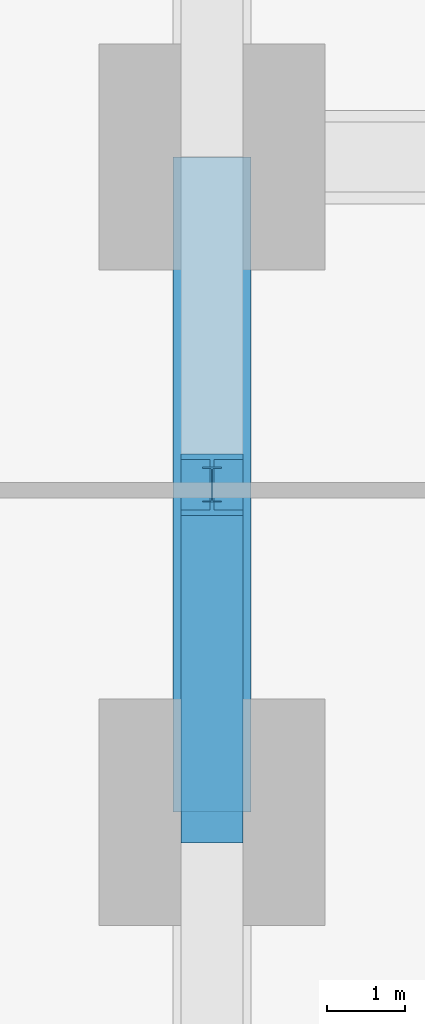
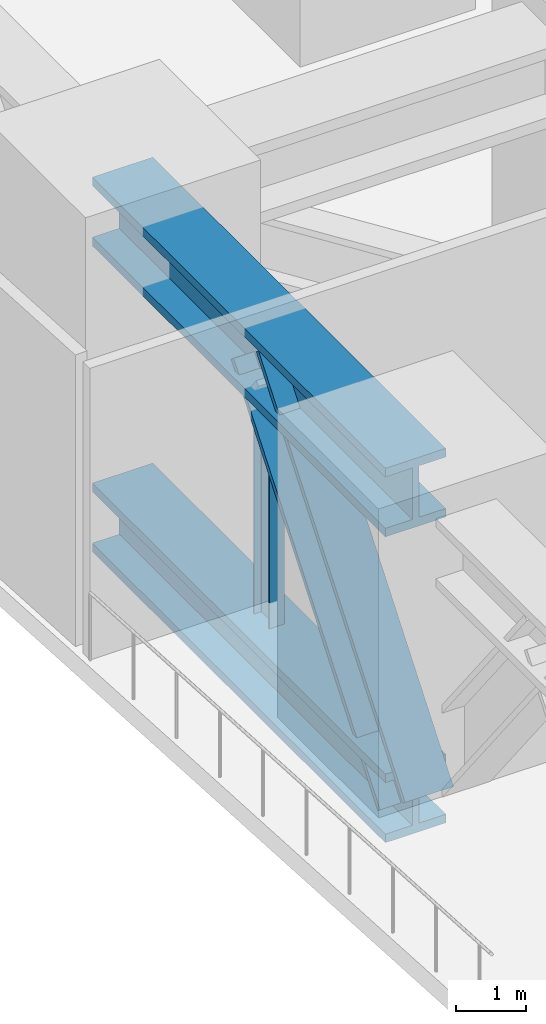
# One storey, part 3 of 16: 4 members.
"""IFC4 building model written with IfcOpenShell, lengths in metres."""

from ifc_helpers import new_model, si_unit, direction, frame, origin, origin_2d, place, context, subcontext, project, spatial, i_section, extrude, material, material_profile, profile_set, type_object, element, save


model = new_model("IFC4")

# Units and contexts
model_context = context("Model", 3, precision=1e-05, world=origin(), true_north=direction((0.0, 1.0)))
body_context = subcontext(model_context, "Body", "Model", "MODEL_VIEW")
ifc_project = project(units=[si_unit("LENGTHUNIT", "METRE"), si_unit("AREAUNIT", "SQUARE_METRE"), si_unit("VOLUMEUNIT", "CUBIC_METRE"), si_unit("PLANEANGLEUNIT", "RADIAN"), si_unit("MASSUNIT", "GRAM", prefix="KILO")], contexts=[model_context])

# Site, building, storey
site_placement = place(None, origin())
site = spatial("IfcSite", under=ifc_project, at=site_placement, CompositionType="ELEMENT")
building_placement = place(site_placement, origin())
building = spatial("IfcBuilding", under=site, at=building_placement, Name="Rekha Terrace Tower", CompositionType="ELEMENT")
storey_placement = place(building_placement, frame((0.0, 0.0, 85.39990234375)))
storey = spatial("IfcBuildingStorey", under=building, at=storey_placement, Name="L21", CompositionType="ELEMENT", Elevation=85.39990234375)

# Members
ifc_material = material(Name="Steel E350", Category="steel")
ifc_material_profile_1 = material_profile(ifc_material, i_section(OverallWidth=1.0, OverallDepth=1.199951171875, WebThickness=0.110107421875, FlangeThickness=0.14990234375, at=origin_2d()), Name="BU 1200x1000x110x150")
ifc_profile_set_1 = profile_set([ifc_material_profile_1], Name="Steel E350")
member_type_1 = type_object("IfcMemberType", Name="BC21 BU 1200x1000x110x150 belt truss chord", PredefinedType="CHORD", material=ifc_profile_set_1)
for number, where, z_axis, x_axis, name in (
    (1, (8.39990234375, 42.0, 4.300048828125), (0.0, -1.0, 0.0), (1.0, 0.0, 0.0), "Belt top chord 2F-2E L21"),
    (2, (8.39990234375, 42.0, -1.0498046875), (0.0, -1.0, 0.0), (1.0, 0.0, 0.0), "Belt bottom chord 2F-2E L21"),
):
    element("IfcMember", number, at=place(storey_placement, frame(where, z_axis=z_axis, x_axis=x_axis)), inside=storey, type_object=member_type_1, Name=name, PredefinedType="CHORD", context=body_context, shape_type="SweptSolid", body=[
        extrude(i_section(OverallWidth=1.0, OverallDepth=1.199951171875, WebThickness=0.110107421875, FlangeThickness=0.14990234375, at=origin_2d()), origin(), (0.0, 0.0, 1.0), 8.39990234375),
    ])
ifc_material_profile_2 = material_profile(ifc_material, i_section(OverallWidth=0.800048828125, OverallDepth=1.0, WebThickness=0.050048828125, FlangeThickness=0.090087890625, at=origin_2d()), Name="BU 1000x800x50x90")
ifc_profile_set_2 = profile_set([ifc_material_profile_2], Name="Steel E350")
member_type_2 = type_object("IfcMemberType", Name="BD21 BU 1000x800x50x90 belt truss diagonal", PredefinedType="BRACE", material=ifc_profile_set_2)
member_1_placement = place(storey_placement, frame((8.39990234375, 33.60009765625, -1.0498046875), z_axis=(0.0, 0.617502861702, 0.786568633871), x_axis=(-1.0, 0.0, 0.0)))
element("IfcMember", 3, at=member_1_placement, inside=storey, type_object=member_type_2, Name="Belt diagonal 2F-2E L21", PredefinedType="BRACE", context=body_context, shape_type="SweptSolid", body=[
    extrude(i_section(OverallWidth=0.800048828125, OverallDepth=1.0, WebThickness=0.050048828125, FlangeThickness=0.090087890625, at=origin_2d()), origin(), (0.0, 0.0, 1.0), 6.801513671875),
])
ifc_material_profile_3 = material_profile(ifc_material, i_section(OverallWidth=0.25, OverallDepth=0.449951171875, WebThickness=0.01123046875, FlangeThickness=0.017333984375, FilletRadius=0.014892578125, at=origin_2d()), Name="ISHB 450")
ifc_profile_set_3 = profile_set([ifc_material_profile_3], Name="Steel E350")
member_type_3 = type_object("IfcMemberType", Name="BV21 ISHB 450 belt truss post", PredefinedType="POST", material=ifc_profile_set_3)
member_2_placement = place(storey_placement, frame((8.39990234375, 37.800048828125, -0.449951171875), z_axis=(0.0, 0.0, 1.0), x_axis=(1.0, 0.0, 0.0)))
element("IfcMember", 4, at=member_2_placement, inside=storey, type_object=member_type_3, Name="Belt post 2F-2E L21", PredefinedType="POST", context=body_context, shape_type="SweptSolid", body=[
    extrude(i_section(OverallWidth=0.25, OverallDepth=0.449951171875, WebThickness=0.01123046875, FlangeThickness=0.017333984375, FilletRadius=0.014892578125, at=origin_2d()), origin(), (0.0, 0.0, 1.0), 4.150146484375),
])

save(model, "model.ifc")
